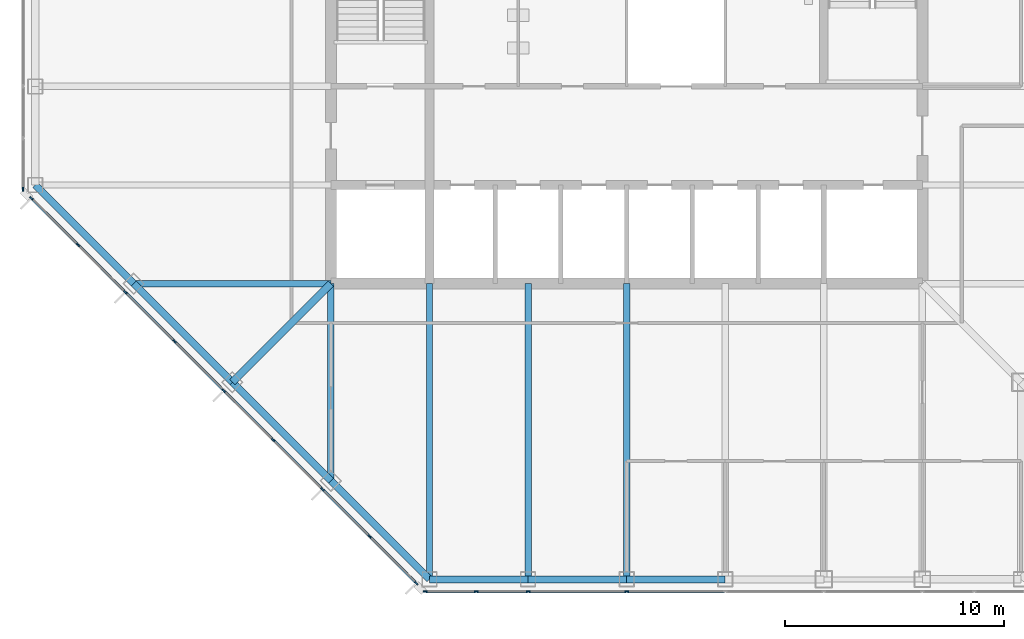
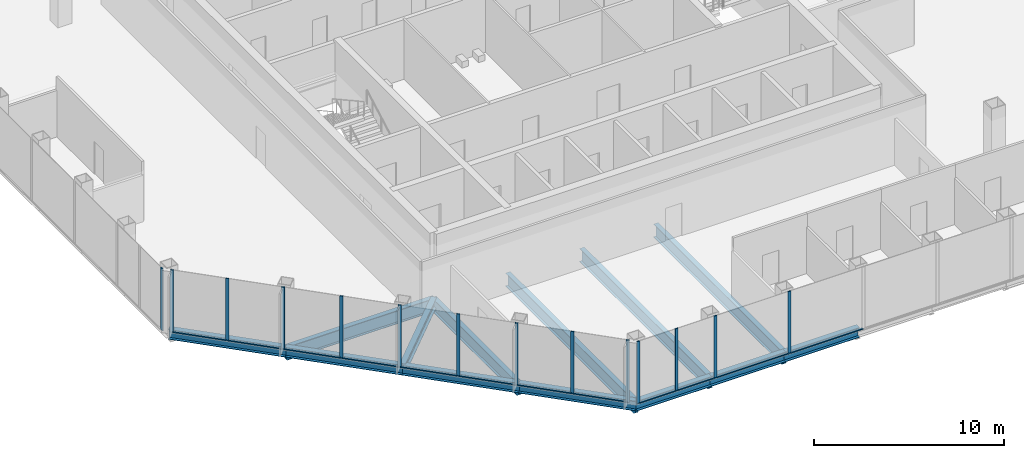
# One storey, part 2 of 12: 26 members, 13 beams, 3 elements without a shape of their own.
"""IFC4 building model written with IfcOpenShell, lengths in metres."""

from ifc_helpers import new_model, si_unit, direction, frame, origin, origin_2d, place, context, subcontext, project, spatial, rectangle, i_section, extrude, material, material_profile, profile_set, type_object, element, aggregate, save


model = new_model("IFC4")

# Units and contexts
model_context = context("Model", 3, precision=1e-05, world=origin(), true_north=direction((0.0, 1.0)))
body_context = subcontext(model_context, "Body", "Model", "MODEL_VIEW")
ifc_project = project(units=[si_unit("LENGTHUNIT", "METRE"), si_unit("AREAUNIT", "SQUARE_METRE"), si_unit("VOLUMEUNIT", "CUBIC_METRE"), si_unit("PLANEANGLEUNIT", "RADIAN"), si_unit("MASSUNIT", "GRAM", prefix="KILO")], contexts=[model_context])

# Site, building, storey
site_placement = place(None, origin())
site = spatial("IfcSite", under=ifc_project, at=site_placement, CompositionType="ELEMENT")
building_placement = place(site_placement, origin())
building = spatial("IfcBuilding", under=site, at=building_placement, Name="Corais Broadcast Tower", CompositionType="ELEMENT")
storey_placement = place(building_placement, frame((0.0, 0.0, 159.60009765625)))
storey = spatial("IfcBuildingStorey", under=building, at=storey_placement, Name="L36", CompositionType="ELEMENT", Elevation=159.60009765625)

# Beams
ifc_material_1 = material(Name="Steel ASTM A572 Grade 50", Category="steel")
ifc_material_profile_1 = material_profile(ifc_material_1, i_section(OverallWidth=0.323974609375, OverallDepth=0.611083984375, WebThickness=0.0126953125, FlangeThickness=0.01904296875, at=origin_2d()), Name="W610x155")
ifc_profile_set_1 = profile_set([ifc_material_profile_1], Name="Steel ASTM A572 Grade 50")
beam_type_1 = type_object("IfcBeamType", Name="Corner diagonal W610x155", PredefinedType="BEAM", material=ifc_profile_set_1)
beam_1_placement = place(storey_placement, frame((9.0, 9.0, -0.465576171875), z_axis=(0.707106781187, 0.707106781187, 0.0), x_axis=(-0.707106781187, 0.707106781187, 0.0)))
element("IfcBeam", 1, at=beam_1_placement, inside=storey, type_object=beam_type_1, Name="B6 C/5 to D/6", PredefinedType="BEAM", context=body_context, shape_type="SweptSolid", body=[
    extrude(i_section(OverallWidth=0.323974609375, OverallDepth=0.611083984375, WebThickness=0.0126953125, FlangeThickness=0.01904296875, at=origin_2d()), origin(), (0.0, 0.0, 1.0), 6.364013671875),
])
ifc_material_2 = material(Name="Steel ASTM A572 Grade 50", Category="steel")
ifc_material_profile_2 = material_profile(ifc_material_2, i_section(OverallWidth=0.2939453125, OverallDepth=0.85107421875, WebThickness=0.01611328125, FlangeThickness=0.02685546875, at=origin_2d()), Name="W840x226")
ifc_profile_set_2 = profile_set([ifc_material_profile_2], Name="Steel ASTM A572 Grade 50")
beam_type_2 = type_object("IfcBeamType", Name="Floor beam W840x226", PredefinedType="BEAM", material=ifc_profile_set_2)
beam_2_placement = place(storey_placement, frame((13.5, 4.5, -0.585693359375), z_axis=(0.0, 1.0, 0.0), x_axis=(-1.0, 0.0, 0.0)))
element("IfcBeam", 2, at=beam_2_placement, inside=storey, type_object=beam_type_2, Name="B1 B/6 to D/6", PredefinedType="BEAM", context=body_context, shape_type="SweptSolid", body=[
    extrude(i_section(OverallWidth=0.2939453125, OverallDepth=0.85107421875, WebThickness=0.01611328125, FlangeThickness=0.02685546875, at=origin_2d()), origin(), (0.0, 0.0, 1.0), 9.0),
])
for number, where, z_axis, x_axis, name in (
    (3, (18.0, 0.0, -0.585693359375), (0.0, 1.0, 0.0), (-1.0, 0.0, 0.0), "B1 A/7 to D/7"),
    (4, (22.5, 0.0, -0.585693359375), (0.0, 1.0, 0.0), (-1.0, 0.0, 0.0), "B1 A/8 to D/8"),
    (5, (27.0, 0.0, -0.585693359375), (0.0, 1.0, 0.0), (-1.0, 0.0, 0.0), "B1 A/9 to D/9"),
):
    element("IfcBeam", number, at=place(storey_placement, frame(where, z_axis=z_axis, x_axis=x_axis)), inside=storey, type_object=beam_type_2, Name=name, PredefinedType="BEAM", context=body_context, shape_type="SweptSolid", body=[
        extrude(i_section(OverallWidth=0.2939453125, OverallDepth=0.85107421875, WebThickness=0.01611328125, FlangeThickness=0.02685546875, at=origin_2d()), origin(), (0.0, 0.0, 1.0), 13.5),
    ])
beam_3_placement = place(storey_placement, frame((4.5, 13.5, -0.585693359375), z_axis=(1.0, 0.0, 0.0), x_axis=(0.0, 1.0, 0.0)))
element("IfcBeam", 6, at=beam_3_placement, inside=storey, type_object=beam_type_2, Name="B1 D/4 to D/6", PredefinedType="BEAM", context=body_context, shape_type="SweptSolid", body=[
    extrude(i_section(OverallWidth=0.2939453125, OverallDepth=0.85107421875, WebThickness=0.01611328125, FlangeThickness=0.02685546875, at=origin_2d()), origin(), (0.0, 0.0, 1.0), 9.0),
])

# Curtain wall, members
ifc_material_3 = material(Name="Aluminium and glass", Category="aluminium")
curtain_wall_type = type_object("IfcCurtainWallType", Name="Unitised fritted curtain wall CW2", PredefinedType="NOTDEFINED", material=ifc_material_3)
curtain_wall_1_placement = place(storey_placement, origin())
curtain_wall_1 = element("IfcCurtainWall", 7, at=curtain_wall_1_placement, inside=storey, type_object=curtain_wall_type, Name="CW2 curtain wall L36 1", PredefinedType="NOTDEFINED")
ifc_material_4 = material(Name="Aluminium 6063-T6", Category="aluminium")
ifc_material_profile_3 = material_profile(ifc_material_4, rectangle(XDim=0.06494140625, YDim=0.179931640625, at=origin_2d()), Name="Mullion CW2 65x180")
ifc_profile_set_3 = profile_set([ifc_material_profile_3], Name="Aluminium 6063-T6")
member_type_1 = type_object("IfcMemberType", Name="Mullion CW2 65x180", PredefinedType="MULLION", material=ifc_profile_set_3)
member_1_placement = place(storey_placement, frame((17.3955078125, -0.17333984375, 0.0), z_axis=(0.0, 0.0, 1.0), x_axis=(-0.707106781187, -0.707106781187, 0.0)))
member_1 = element("IfcMember", 8, at=member_1_placement, type_object=member_type_1, Name="CW2 mullion 1", PredefinedType="MULLION", context=body_context, shape_type="SweptSolid", body=[
    extrude(rectangle(XDim=0.06494140625, YDim=0.179931640625, at=origin_2d()), origin(), (0.0, 0.0, 1.0), 4.0),
])
member_2_placement = place(storey_placement, frame((15.264892578125, 1.957275390625, 0.0), z_axis=(0.0, 0.0, 1.0), x_axis=(-0.707106781187, -0.707106781187, 0.0)))
member_2 = element("IfcMember", 9, at=member_2_placement, type_object=member_type_1, Name="CW2 mullion 2", PredefinedType="MULLION", context=body_context, shape_type="SweptSolid", body=[
    extrude(rectangle(XDim=0.06494140625, YDim=0.179931640625, at=origin_2d()), origin(), (0.0, 0.0, 1.0), 4.0),
])
member_3_placement = place(storey_placement, frame((13.111083984375, 4.111083984375, 0.0), z_axis=(0.0, 0.0, 1.0), x_axis=(-0.707106781187, -0.707106781187, 0.0)))
member_3 = element("IfcMember", 10, at=member_3_placement, type_object=member_type_1, Name="CW2 mullion 3", PredefinedType="MULLION", context=body_context, shape_type="SweptSolid", body=[
    extrude(rectangle(XDim=0.06494140625, YDim=0.179931640625, at=origin_2d()), origin(), (0.0, 0.0, 1.0), 4.0),
])
member_4_placement = place(storey_placement, frame((10.861083984375, 6.361083984375, 0.0), z_axis=(0.0, 0.0, 1.0), x_axis=(-0.707106781187, -0.707106781187, 0.0)))
member_4 = element("IfcMember", 11, at=member_4_placement, type_object=member_type_1, Name="CW2 mullion 4", PredefinedType="MULLION", context=body_context, shape_type="SweptSolid", body=[
    extrude(rectangle(XDim=0.06494140625, YDim=0.179931640625, at=origin_2d()), origin(), (0.0, 0.0, 1.0), 4.0),
])
member_5_placement = place(storey_placement, frame((8.611083984375, 8.611083984375, 0.0), z_axis=(0.0, 0.0, 1.0), x_axis=(-0.707106781187, -0.707106781187, 0.0)))
member_5 = element("IfcMember", 12, at=member_5_placement, type_object=member_type_1, Name="CW2 mullion 5", PredefinedType="MULLION", context=body_context, shape_type="SweptSolid", body=[
    extrude(rectangle(XDim=0.06494140625, YDim=0.179931640625, at=origin_2d()), origin(), (0.0, 0.0, 1.0), 4.0),
])
member_6_placement = place(storey_placement, frame((6.361083984375, 10.861083984375, 0.0), z_axis=(0.0, 0.0, 1.0), x_axis=(-0.707106781187, -0.707106781187, 0.0)))
member_6 = element("IfcMember", 13, at=member_6_placement, type_object=member_type_1, Name="CW2 mullion 6", PredefinedType="MULLION", context=body_context, shape_type="SweptSolid", body=[
    extrude(rectangle(XDim=0.06494140625, YDim=0.179931640625, at=origin_2d()), origin(), (0.0, 0.0, 1.0), 4.0),
])
member_7_placement = place(storey_placement, frame((4.111083984375, 13.111083984375, 0.0), z_axis=(0.0, 0.0, 1.0), x_axis=(-0.707106781187, -0.707106781187, 0.0)))
member_7 = element("IfcMember", 14, at=member_7_placement, type_object=member_type_1, Name="CW2 mullion 7", PredefinedType="MULLION", context=body_context, shape_type="SweptSolid", body=[
    extrude(rectangle(XDim=0.06494140625, YDim=0.179931640625, at=origin_2d()), origin(), (0.0, 0.0, 1.0), 4.0),
])
member_8_placement = place(storey_placement, frame((1.957275390625, 15.264892578125, 0.0), z_axis=(0.0, 0.0, 1.0), x_axis=(-0.707106781187, -0.707106781187, 0.0)))
member_8 = element("IfcMember", 15, at=member_8_placement, type_object=member_type_1, Name="CW2 mullion 8", PredefinedType="MULLION", context=body_context, shape_type="SweptSolid", body=[
    extrude(rectangle(XDim=0.06494140625, YDim=0.179931640625, at=origin_2d()), origin(), (0.0, 0.0, 1.0), 4.0),
])
member_9_placement = place(storey_placement, frame((-0.17333984375, 17.3955078125, 0.0), z_axis=(0.0, 0.0, 1.0), x_axis=(-0.707106781187, -0.707106781187, 0.0)))
member_9 = element("IfcMember", 16, at=member_9_placement, type_object=member_type_1, Name="CW2 mullion 9", PredefinedType="MULLION", context=body_context, shape_type="SweptSolid", body=[
    extrude(rectangle(XDim=0.06494140625, YDim=0.179931640625, at=origin_2d()), origin(), (0.0, 0.0, 1.0), 4.0),
])

# Curtain wall, member
curtain_wall_2_placement = place(storey_placement, origin())
curtain_wall_2 = element("IfcCurtainWall", 17, at=curtain_wall_2_placement, inside=storey, type_object=curtain_wall_type, Name="CW2 curtain wall L36 2", PredefinedType="NOTDEFINED")
member_10_placement = place(storey_placement, frame((-0.550048828125, 17.8046875, 0.0), z_axis=(0.0, 0.0, 1.0), x_axis=(-1.0, 0.0, 0.0)))
member_10 = element("IfcMember", 18, at=member_10_placement, type_object=member_type_1, Name="CW2 mullion 1", PredefinedType="MULLION", context=body_context, shape_type="SweptSolid", body=[
    extrude(rectangle(XDim=0.06494140625, YDim=0.179931640625, at=origin_2d()), origin(), (0.0, 0.0, 1.0), 4.0),
])
aggregate(curtain_wall_2, [member_10])

# Curtain wall, members
curtain_wall_3_placement = place(storey_placement, origin())
curtain_wall_3 = element("IfcCurtainWall", 19, at=curtain_wall_3_placement, inside=storey, type_object=curtain_wall_type, Name="CW2 curtain wall L36 8", PredefinedType="NOTDEFINED")
member_11_placement = place(storey_placement, frame((27.0, -0.550048828125, 0.0), z_axis=(0.0, 0.0, 1.0), x_axis=(0.0, -1.0, 0.0)))
member_11 = element("IfcMember", 20, at=member_11_placement, type_object=member_type_1, Name="CW2 mullion 6", PredefinedType="MULLION", context=body_context, shape_type="SweptSolid", body=[
    extrude(rectangle(XDim=0.06494140625, YDim=0.179931640625, at=origin_2d()), origin(), (0.0, 0.0, 1.0), 4.0),
])
member_12_placement = place(storey_placement, frame((22.5, -0.550048828125, 0.0), z_axis=(0.0, 0.0, 1.0), x_axis=(0.0, -1.0, 0.0)))
member_12 = element("IfcMember", 21, at=member_12_placement, type_object=member_type_1, Name="CW2 mullion 7", PredefinedType="MULLION", context=body_context, shape_type="SweptSolid", body=[
    extrude(rectangle(XDim=0.06494140625, YDim=0.179931640625, at=origin_2d()), origin(), (0.0, 0.0, 1.0), 4.0),
])
member_13_placement = place(storey_placement, frame((20.135986328125, -0.550048828125, 0.0), z_axis=(0.0, 0.0, 1.0), x_axis=(0.0, -1.0, 0.0)))
member_13 = element("IfcMember", 22, at=member_13_placement, type_object=member_type_1, Name="CW2 mullion 8", PredefinedType="MULLION", context=body_context, shape_type="SweptSolid", body=[
    extrude(rectangle(XDim=0.06494140625, YDim=0.179931640625, at=origin_2d()), origin(), (0.0, 0.0, 1.0), 4.0),
])
member_14_placement = place(storey_placement, frame((17.8046875, -0.550048828125, 0.0), z_axis=(0.0, 0.0, 1.0), x_axis=(0.0, -1.0, 0.0)))
member_14 = element("IfcMember", 23, at=member_14_placement, type_object=member_type_1, Name="CW2 mullion 9", PredefinedType="MULLION", context=body_context, shape_type="SweptSolid", body=[
    extrude(rectangle(XDim=0.06494140625, YDim=0.179931640625, at=origin_2d()), origin(), (0.0, 0.0, 1.0), 4.0),
])

# Beams
ifc_material_5 = material(Name="Steel ASTM A572 Grade 50", Category="steel")
ifc_material_profile_4 = material_profile(ifc_material_5, i_section(OverallWidth=0.3291015625, OverallDepth=0.635009765625, WebThickness=0.017822265625, FlangeThickness=0.031005859375, at=origin_2d()), Name="W610x241")
ifc_profile_set_4 = profile_set([ifc_material_profile_4], Name="Steel ASTM A572 Grade 50")
beam_type_3 = type_object("IfcBeamType", Name="Spandrel W610x241", PredefinedType="BEAM", material=ifc_profile_set_4)
for number, where, z_axis, x_axis, name in (
    (24, (0.0, 18.0, -0.4775390625), (0.707106781187, -0.707106781187, 0.0), (0.707106781187, 0.707106781187, 0.0), "SB1 E/3 to D/4"),
    (25, (13.5, 4.5, -0.4775390625), (0.707106781187, -0.707106781187, 0.0), (0.707106781187, 0.707106781187, 0.0), "SB1 B/6 to A/7"),
):
    element("IfcBeam", number, at=place(storey_placement, frame(where, z_axis=z_axis, x_axis=x_axis)), inside=storey, type_object=beam_type_3, Name=name, PredefinedType="BEAM", context=body_context, shape_type="SweptSolid", body=[
        extrude(i_section(OverallWidth=0.3291015625, OverallDepth=0.635009765625, WebThickness=0.017822265625, FlangeThickness=0.031005859375, at=origin_2d()), origin(), (0.0, 0.0, 1.0), 6.364013671875),
    ])
for number, where, z_axis, x_axis, name in (
    (26, (18.0, 0.0, -0.4775390625), (1.0, 0.0, 0.0), (0.0, 1.0, 0.0), "SB1 A/7 to A/8"),
    (27, (22.5, 0.0, -0.4775390625), (1.0, 0.0, 0.0), (0.0, 1.0, 0.0), "SB1 A/8 to A/9"),
    (28, (27.0, 0.0, -0.4775390625), (1.0, 0.0, 0.0), (0.0, 1.0, 0.0), "SB1 A/9 to A/10"),
):
    element("IfcBeam", number, at=place(storey_placement, frame(where, z_axis=z_axis, x_axis=x_axis)), inside=storey, type_object=beam_type_3, Name=name, PredefinedType="BEAM", context=body_context, shape_type="SweptSolid", body=[
        extrude(i_section(OverallWidth=0.3291015625, OverallDepth=0.635009765625, WebThickness=0.017822265625, FlangeThickness=0.031005859375, at=origin_2d()), origin(), (0.0, 0.0, 1.0), 4.5),
    ])
for number, where, z_axis, x_axis, name in (
    (29, (4.5, 13.5, -0.4775390625), (0.707106781187, -0.707106781187, 0.0), (0.707106781187, 0.707106781187, 0.0), "SB1 D/4 to C/5"),
    (30, (9.0, 9.0, -0.4775390625), (0.707106781187, -0.707106781187, 0.0), (0.707106781187, 0.707106781187, 0.0), "SB1 C/5 to B/6"),
):
    element("IfcBeam", number, at=place(storey_placement, frame(where, z_axis=z_axis, x_axis=x_axis)), inside=storey, type_object=beam_type_3, Name=name, PredefinedType="BEAM", context=body_context, shape_type="SweptSolid", body=[
        extrude(i_section(OverallWidth=0.3291015625, OverallDepth=0.635009765625, WebThickness=0.017822265625, FlangeThickness=0.031005859375, at=origin_2d()), origin(), (0.0, 0.0, 1.0), 6.364013671875),
    ])

# Member
ifc_material_6 = material(Name="Aluminium 6063-T6", Category="aluminium")
ifc_material_profile_5 = material_profile(ifc_material_6, rectangle(XDim=0.1298828125, YDim=0.06494140625, at=origin_2d()), Name="Transom CW2 65x130")
ifc_profile_set_5 = profile_set([ifc_material_profile_5], Name="Aluminium 6063-T6")
member_type_2 = type_object("IfcMemberType", Name="Transom CW2 65x130", PredefinedType="USERDEFINED", material=ifc_profile_set_5)
member_15_placement = place(storey_placement, frame((17.37255859375, -0.150390625, 0.032470703125), z_axis=(-0.707106781187, 0.707106781187, 0.0), x_axis=(-0.707106781187, -0.707106781187, 0.0)))
member_15 = element("IfcMember", 31, at=member_15_placement, type_object=member_type_2, Name="CW2 transom 1.1", ObjectType="TRANSOM", PredefinedType="USERDEFINED", context=body_context, shape_type="SweptSolid", body=[
    extrude(rectangle(XDim=0.1298828125, YDim=0.06494140625, at=origin_2d()), origin(), (0.0, 0.0, 1.0), 2.9482421875),
])

member_16_placement = place(storey_placement, frame((15.241943359375, 1.980224609375, 0.032470703125), z_axis=(-0.707106781187, 0.707106781187, 0.0), x_axis=(-0.707106781187, -0.707106781187, 0.0)))
member_16 = element("IfcMember", 32, at=member_16_placement, type_object=member_type_2, Name="CW2 transom 2.1", ObjectType="TRANSOM", PredefinedType="USERDEFINED", context=body_context, shape_type="SweptSolid", body=[
    extrude(rectangle(XDim=0.1298828125, YDim=0.06494140625, at=origin_2d()), origin(), (0.0, 0.0, 1.0), 2.98095703125),
])

member_17_placement = place(storey_placement, frame((13.088134765625, 4.134033203125, 0.032470703125), z_axis=(-0.707106781187, 0.707106781187, 0.0), x_axis=(-0.707106781187, -0.707106781187, 0.0)))
member_17 = element("IfcMember", 33, at=member_17_placement, type_object=member_type_2, Name="CW2 transom 3.1", ObjectType="TRANSOM", PredefinedType="USERDEFINED", context=body_context, shape_type="SweptSolid", body=[
    extrude(rectangle(XDim=0.1298828125, YDim=0.06494140625, at=origin_2d()), origin(), (0.0, 0.0, 1.0), 3.1171875),
])

member_18_placement = place(storey_placement, frame((10.838134765625, 6.384033203125, 0.032470703125), z_axis=(-0.707106781187, 0.707106781187, 0.0), x_axis=(-0.707106781187, -0.707106781187, 0.0)))
member_18 = element("IfcMember", 34, at=member_18_placement, type_object=member_type_2, Name="CW2 transom 4.1", ObjectType="TRANSOM", PredefinedType="USERDEFINED", context=body_context, shape_type="SweptSolid", body=[
    extrude(rectangle(XDim=0.1298828125, YDim=0.06494140625, at=origin_2d()), origin(), (0.0, 0.0, 1.0), 3.1171875),
])

member_19_placement = place(storey_placement, frame((8.588134765625, 8.634033203125, 0.032470703125), z_axis=(-0.707106781187, 0.707106781187, 0.0), x_axis=(-0.707106781187, -0.707106781187, 0.0)))
member_19 = element("IfcMember", 35, at=member_19_placement, type_object=member_type_2, Name="CW2 transom 5.1", ObjectType="TRANSOM", PredefinedType="USERDEFINED", context=body_context, shape_type="SweptSolid", body=[
    extrude(rectangle(XDim=0.1298828125, YDim=0.06494140625, at=origin_2d()), origin(), (0.0, 0.0, 1.0), 3.1171875),
])

member_20_placement = place(storey_placement, frame((6.338134765625, 10.884033203125, 0.032470703125), z_axis=(-0.707106781187, 0.707106781187, 0.0), x_axis=(-0.707106781187, -0.707106781187, 0.0)))
member_20 = element("IfcMember", 36, at=member_20_placement, type_object=member_type_2, Name="CW2 transom 6.1", ObjectType="TRANSOM", PredefinedType="USERDEFINED", context=body_context, shape_type="SweptSolid", body=[
    extrude(rectangle(XDim=0.1298828125, YDim=0.06494140625, at=origin_2d()), origin(), (0.0, 0.0, 1.0), 3.1171875),
])

member_21_placement = place(storey_placement, frame((4.088134765625, 13.134033203125, 0.032470703125), z_axis=(-0.707065828661, 0.70714773134, 0.0), x_axis=(-0.70714773134, -0.707065828661, 0.0)))
member_21 = element("IfcMember", 37, at=member_21_placement, type_object=member_type_2, Name="CW2 transom 7.1", ObjectType="TRANSOM", PredefinedType="USERDEFINED", context=body_context, shape_type="SweptSolid", body=[
    extrude(rectangle(XDim=0.1298828125, YDim=0.06494140625, at=origin_2d()), origin(), (0.0, 0.0, 1.0), 2.98095703125),
])

member_22_placement = place(storey_placement, frame((1.934326171875, 15.287841796875, 0.032470703125), z_axis=(-0.707106781187, 0.707106781187, 0.0), x_axis=(-0.707106781187, -0.707106781187, 0.0)))
member_22 = element("IfcMember", 38, at=member_22_placement, type_object=member_type_2, Name="CW2 transom 8.1", ObjectType="TRANSOM", PredefinedType="USERDEFINED", context=body_context, shape_type="SweptSolid", body=[
    extrude(rectangle(XDim=0.1298828125, YDim=0.06494140625, at=origin_2d()), origin(), (0.0, 0.0, 1.0), 2.9482421875),
])

aggregate(curtain_wall_1, [member_1, member_2, member_3, member_4, member_5, member_6, member_7, member_8, member_9, member_15, member_16, member_17, member_18, member_19, member_20, member_21, member_22])

member_23_placement = place(storey_placement, frame((31.467529296875, -0.550048828125, 0.032470703125), z_axis=(-1.0, 0.0, 0.0), x_axis=(0.0, -1.0, 0.0)))
member_23 = element("IfcMember", 39, at=member_23_placement, type_object=member_type_2, Name="CW2 transom 5.1", ObjectType="TRANSOM", PredefinedType="USERDEFINED", context=body_context, shape_type="SweptSolid", body=[
    extrude(rectangle(XDim=0.1298828125, YDim=0.06494140625, at=origin_2d()), origin(), (0.0, 0.0, 1.0), 4.43505859375),
])

member_24_placement = place(storey_placement, frame((26.967529296875, -0.550048828125, 0.032470703125), z_axis=(-1.0, 0.0, 0.0), x_axis=(0.0, -1.0, 0.0)))
member_24 = element("IfcMember", 40, at=member_24_placement, type_object=member_type_2, Name="CW2 transom 6.1", ObjectType="TRANSOM", PredefinedType="USERDEFINED", context=body_context, shape_type="SweptSolid", body=[
    extrude(rectangle(XDim=0.1298828125, YDim=0.06494140625, at=origin_2d()), origin(), (0.0, 0.0, 1.0), 4.43505859375),
])

member_25_placement = place(storey_placement, frame((22.467529296875, -0.550048828125, 0.032470703125), z_axis=(-1.0, 0.0, 0.0), x_axis=(0.0, -1.0, 0.0)))
member_25 = element("IfcMember", 41, at=member_25_placement, type_object=member_type_2, Name="CW2 transom 7.1", ObjectType="TRANSOM", PredefinedType="USERDEFINED", context=body_context, shape_type="SweptSolid", body=[
    extrude(rectangle(XDim=0.1298828125, YDim=0.06494140625, at=origin_2d()), origin(), (0.0, 0.0, 1.0), 2.298828125),
])

member_26_placement = place(storey_placement, frame((20.103515625, -0.550048828125, 0.032470703125), z_axis=(-1.0, 0.0, 0.0), x_axis=(0.0, -1.0, 0.0)))
member_26 = element("IfcMember", 42, at=member_26_placement, type_object=member_type_2, Name="CW2 transom 8.1", ObjectType="TRANSOM", PredefinedType="USERDEFINED", context=body_context, shape_type="SweptSolid", body=[
    extrude(rectangle(XDim=0.1298828125, YDim=0.06494140625, at=origin_2d()), origin(), (0.0, 0.0, 1.0), 2.266357421875),
])

aggregate(curtain_wall_3, [member_11, member_12, member_13, member_14, member_23, member_24, member_25, member_26])

save(model, "model.ifc")
